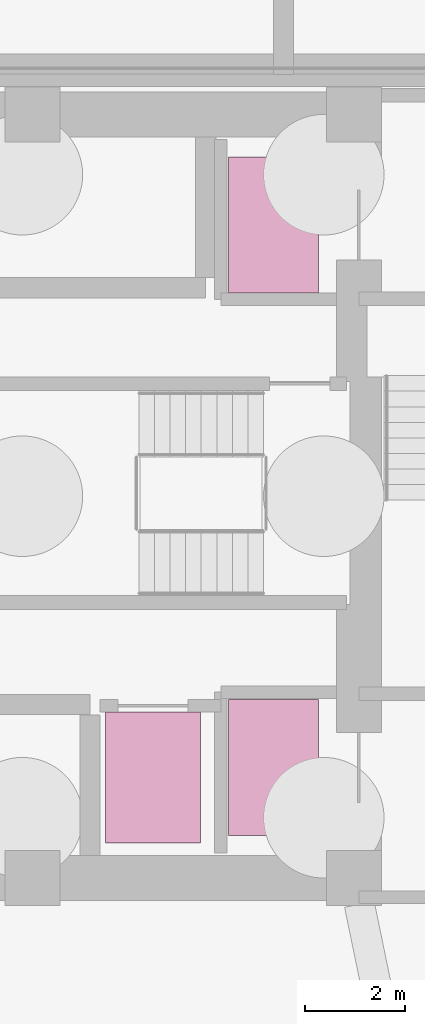
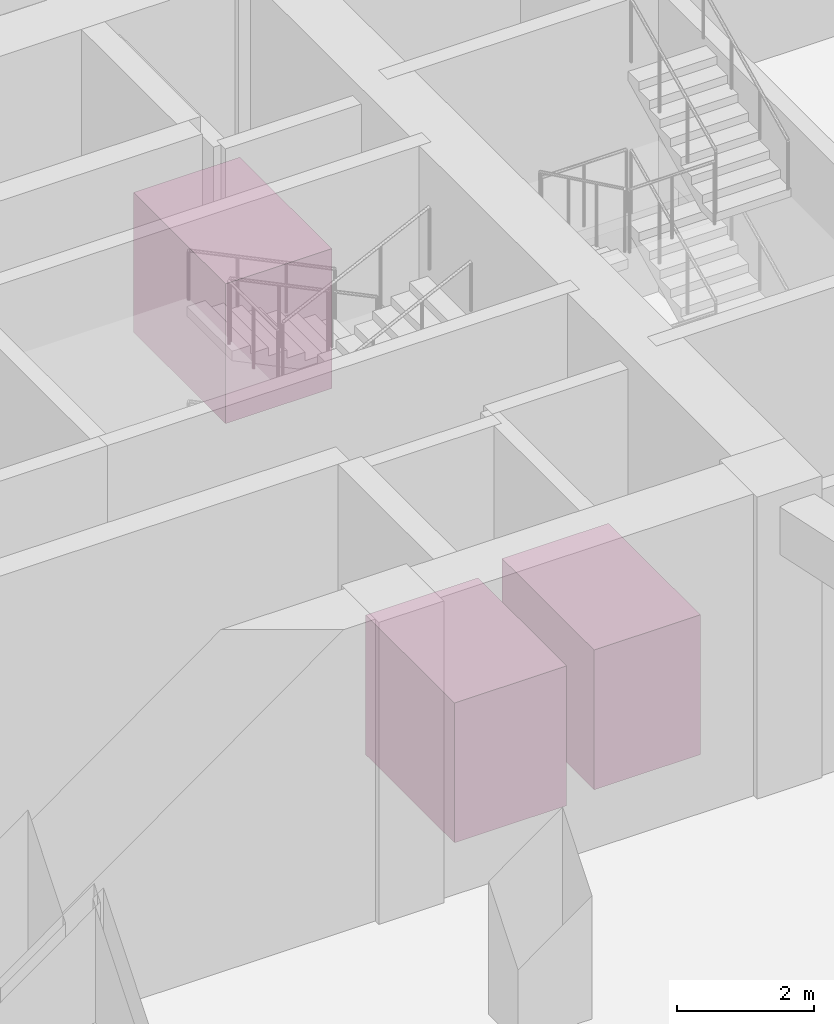
# One storey, part 8 of 8: 3 transport elements.
"""IFC4 building model written with IfcOpenShell, lengths in metres."""

from ifc_helpers import new_model, si_unit, direction, frame, origin, origin_2d, place, context, subcontext, project, spatial, rectangle, extrude, material, type_object, element, save


model = new_model("IFC4")

# Units and contexts
model_context = context("Model", 3, precision=1e-05, world=origin(), true_north=direction((0.0, 1.0)))
body_context = subcontext(model_context, "Body", "Model", "MODEL_VIEW")
ifc_project = project(units=[si_unit("LENGTHUNIT", "METRE"), si_unit("AREAUNIT", "SQUARE_METRE"), si_unit("VOLUMEUNIT", "CUBIC_METRE"), si_unit("PLANEANGLEUNIT", "RADIAN"), si_unit("MASSUNIT", "GRAM", prefix="KILO")], contexts=[model_context])

# Site, building, storey
site_placement = place(None, origin())
site = spatial("IfcSite", under=ifc_project, at=site_placement, CompositionType="ELEMENT")
building_placement = place(site_placement, origin())
building = spatial("IfcBuilding", under=site, at=building_placement, Name="Lazwardi Medical Tower", CompositionType="ELEMENT")
storey_placement = place(building_placement, frame((0.0, 0.0, -5.39990234375)))
storey = spatial("IfcBuildingStorey", under=building, at=storey_placement, Name="B1", CompositionType="ELEMENT", Elevation=-5.39990234375)

# Transport elements
ifc_material = material(Name="Stainless steel Grade 316", Category="steel")
transport_element_type_1 = type_object("IfcTransportElementType", Name="LFT-BED-01", PredefinedType="ELEVATOR", material=ifc_material)
for number, where, z_axis, x_axis, name in (
    (1, (44.0, 33.39990234375, 0.0), (0.0, 0.0, 1.0), (1.0, 0.0, 0.0), "Fire-Fighting Bed Lift FL-01"),
    (2, (44.0, 22.60009765625, 0.0), (0.0, 0.0, 1.0), (1.0, 0.0, 0.0), "Fire-Fighting Bed Lift FL-02"),
):
    element("IfcTransportElement", number, at=place(storey_placement, frame(where, z_axis=z_axis, x_axis=x_axis)), inside=storey, type_object=transport_element_type_1, Name=name, PredefinedType="ELEVATOR", context=body_context, shape_type="SweptSolid", body=[
        extrude(rectangle(XDim=1.800048828125, YDim=2.699951171875, at=origin_2d()), origin(), (0.0, 0.0, 1.0), 2.5),
    ])
transport_element_type_2 = type_object("IfcTransportElementType", Name="LFT-SRV-01", PredefinedType="ELEVATOR", material=ifc_material)
transport_element_placement = place(storey_placement, frame((41.60009765625, 22.39990234375, 0.0), z_axis=(0.0, 0.0, 1.0), x_axis=(1.0, 0.0, 0.0)))
element("IfcTransportElement", 3, at=transport_element_placement, inside=storey, type_object=transport_element_type_2, Name="Hospital Service Bed Lift FL-03", PredefinedType="ELEVATOR", context=body_context, shape_type="SweptSolid", body=[
    extrude(rectangle(XDim=1.89990234375, YDim=2.60009765625, at=origin_2d()), origin(), (0.0, 0.0, 1.0), 2.5),
])

save(model, "model.ifc")
